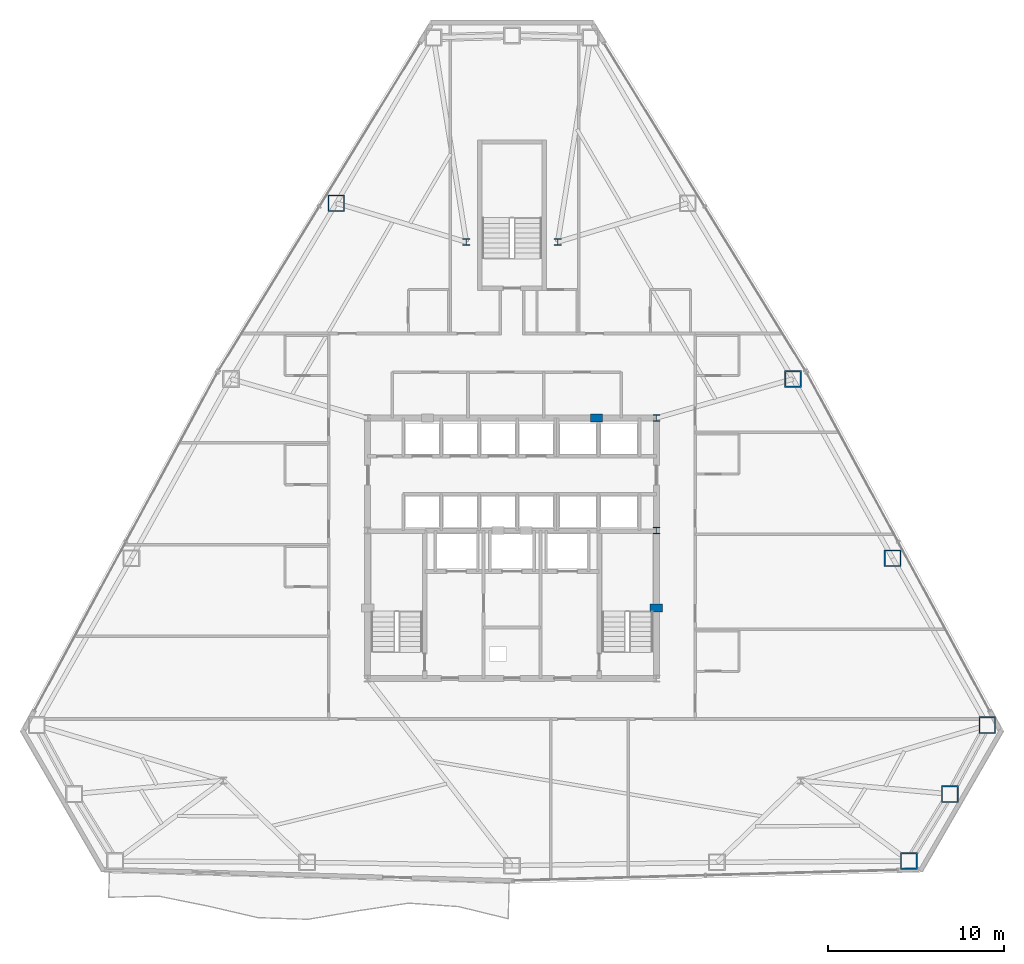
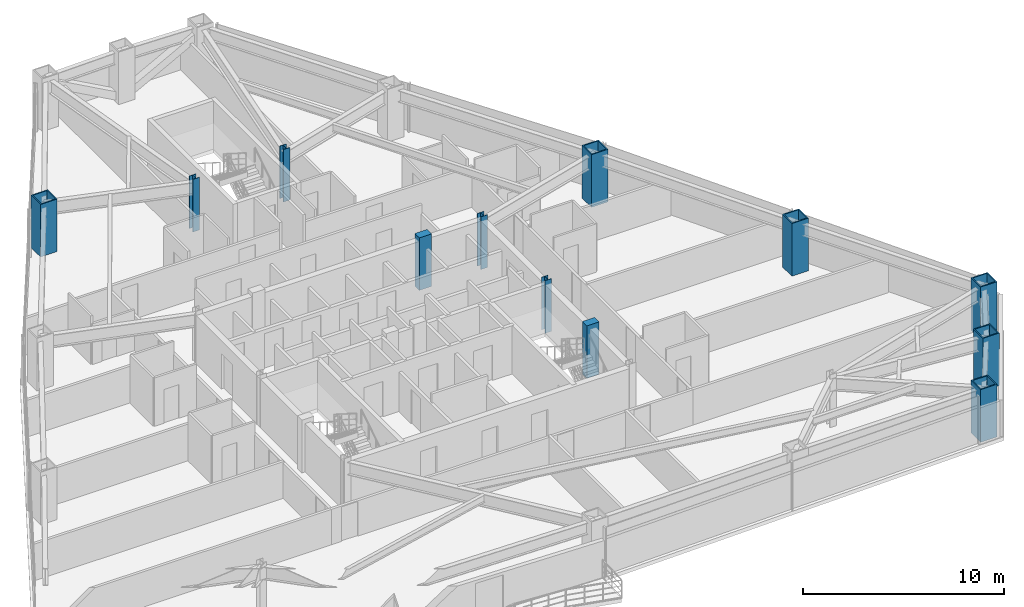
# One storey, part 2 of 13: 12 columns.
"""IFC4 building model written with IfcOpenShell, lengths in metres."""

from ifc_helpers import new_model, si_unit, direction, frame, origin, origin_2d, place, context, subcontext, project, spatial, rectangle, hollow_rectangle, i_section, extrude, material, material_profile, profile_set, type_object, element, save


model = new_model("IFC4")

# Units and contexts
model_context = context("Model", 3, precision=1e-05, world=origin(), true_north=direction((0.0, 1.0)))
body_context = subcontext(model_context, "Body", "Model", "MODEL_VIEW")
ifc_project = project(units=[si_unit("LENGTHUNIT", "METRE"), si_unit("AREAUNIT", "SQUARE_METRE"), si_unit("VOLUMEUNIT", "CUBIC_METRE"), si_unit("PLANEANGLEUNIT", "RADIAN"), si_unit("MASSUNIT", "GRAM", prefix="KILO")], contexts=[model_context])

# Site, building, storey
site_placement = place(None, origin())
site = spatial("IfcSite", under=ifc_project, at=site_placement, CompositionType="ELEMENT")
building_placement = place(site_placement, origin())
building = spatial("IfcBuilding", under=site, at=building_placement, Name="Varakhsha Concourse Tower", CompositionType="ELEMENT")
storey_placement = place(building_placement, frame((0.0, 0.0, 108.60009765625)))
storey = spatial("IfcBuildingStorey", under=building, at=storey_placement, Name="L31", CompositionType="ELEMENT", Elevation=108.60009765625)

# Columns
ifc_material_1 = material(Name="Structural Steel ASTM A992 Grade 50", Category="steel")
ifc_material_profile_1 = material_profile(ifc_material_1, i_section(OverallWidth=0.3740234375, OverallDepth=0.3720703125, WebThickness=0.01611328125, FlangeThickness=0.02587890625, at=origin_2d()), Name="W14X132")
ifc_profile_set_1 = profile_set([ifc_material_profile_1], Name="Structural Steel ASTM A992 Grade 50")
column_type_1 = type_object("IfcColumnType", Name="CL-CORE-W14X132", PredefinedType="COLUMN", material=ifc_profile_set_1)
for number, where, z_axis, x_axis, name in (
    (1, (48.199951171875, 24.800048828125, 0.0), (0.0, 0.0, 1.0), (1.0, 0.0, 0.0), "L31 Core Column CC-ME"),
    (2, (48.199951171875, 31.199951171875, 0.0), (0.0, 0.0, 1.0), (1.0, 0.0, 0.0), "L31 Core Column CC-NE"),
    (3, (37.39990234375, 41.199951171875, 0.0), (0.0, 0.0, 1.0), (1.0, 0.0, 0.0), "L31 Core Column NS-W"),
    (4, (42.60009765625, 41.199951171875, 0.0), (0.0, 0.0, 1.0), (1.0, 0.0, 0.0), "L31 Core Column NS-E"),
):
    element("IfcColumn", number, at=place(storey_placement, frame(where, z_axis=z_axis, x_axis=x_axis)), inside=storey, type_object=column_type_1, Name=name, PredefinedType="COLUMN", context=body_context, shape_type="SweptSolid", body=[
        extrude(i_section(OverallWidth=0.3740234375, OverallDepth=0.3720703125, WebThickness=0.01611328125, FlangeThickness=0.02587890625, at=origin_2d()), origin(), (0.0, 0.0, 1.0), 3.199951171875),
    ])
ifc_material_2 = material(Name="Concrete fc 65 MPa", Category="concrete")
ifc_material_profile_2 = material_profile(ifc_material_2, rectangle(XDim=0.699951171875, YDim=0.449951171875, at=origin_2d()), Name="RC 700x450")
ifc_profile_set_2 = profile_set([ifc_material_profile_2], Name="Concrete fc 65 MPa")
column_type_2 = type_object("IfcColumnType", Name="CL-PIL-700X450", PredefinedType="PILASTER", material=ifc_profile_set_2)
for number, where, z_axis, x_axis, name in (
    (5, (48.199951171875, 20.39990234375, 0.0), (0.0, 0.0, 1.0), (1.0, 0.0, 0.0), "L31 Core Boundary Pilaster PIL-E1"),
    (6, (44.800048828125, 31.199951171875, 0.0), (0.0, 0.0, 1.0), (1.0, 0.0, 0.0), "L31 Core Boundary Pilaster PIL-N2"),
):
    element("IfcColumn", number, at=place(storey_placement, frame(where, z_axis=z_axis, x_axis=x_axis)), inside=storey, type_object=column_type_2, Name=name, PredefinedType="PILASTER", context=body_context, shape_type="SweptSolid", body=[
        extrude(rectangle(XDim=0.699951171875, YDim=0.449951171875, at=origin_2d()), origin(), (0.0, 0.0, 1.0), 3.199951171875),
    ])
ifc_material_3 = material(Name="Structural Steel ASTM A572 Grade 50", Category="steel")
ifc_material_profile_3 = material_profile(ifc_material_3, hollow_rectangle(XDim=0.949951171875, YDim=0.949951171875, WallThickness=0.06494140625, at=origin_2d()), Name="BOX 950x950x65")
ifc_profile_set_3 = profile_set([ifc_material_profile_3], Name="Structural Steel ASTM A572 Grade 50")
column_type_3 = type_object("IfcColumnType", Name="CL-TUBE-950", PredefinedType="COLUMN", material=ifc_profile_set_3)
for number, where, z_axis, x_axis, name in (
    (7, (30.0234375, 43.40380859375, 0.0), (0.0, 0.0, 1.0), (1.0, 0.0, 0.0), "L31 Framed-Tube Column TC04"),
    (8, (62.5458984375, 6.034912109375, 0.0), (0.0, 0.0, 1.0), (1.0, 0.0, 0.0), "L31 Framed-Tube Column TC13"),
    (9, (64.87890625, 9.836181640625, 0.0), (0.0, 0.0, 1.0), (1.0, 0.0, 0.0), "L31 Framed-Tube Column TC14"),
    (10, (67.00439453125, 13.757080078125, 0.0), (0.0, 0.0, 1.0), (1.0, 0.0, 0.0), "L31 Framed-Tube Column TC15"),
    (11, (61.619384765625, 23.238037109375, 0.0), (0.0, 0.0, 1.0), (1.0, 0.0, 0.0), "L31 Framed-Tube Column TC16"),
    (12, (55.961669921875, 33.41552734375, 0.0), (0.0, 0.0, 1.0), (1.0, 0.0, 0.0), "L31 Framed-Tube Column TC17"),
):
    element("IfcColumn", number, at=place(storey_placement, frame(where, z_axis=z_axis, x_axis=x_axis)), inside=storey, type_object=column_type_3, Name=name, PredefinedType="COLUMN", context=body_context, shape_type="SweptSolid", body=[
        extrude(hollow_rectangle(XDim=0.949951171875, YDim=0.949951171875, WallThickness=0.06494140625, at=origin_2d()), origin(), (0.0, 0.0, 1.0), 3.199951171875),
    ])

save(model, "model.ifc")
